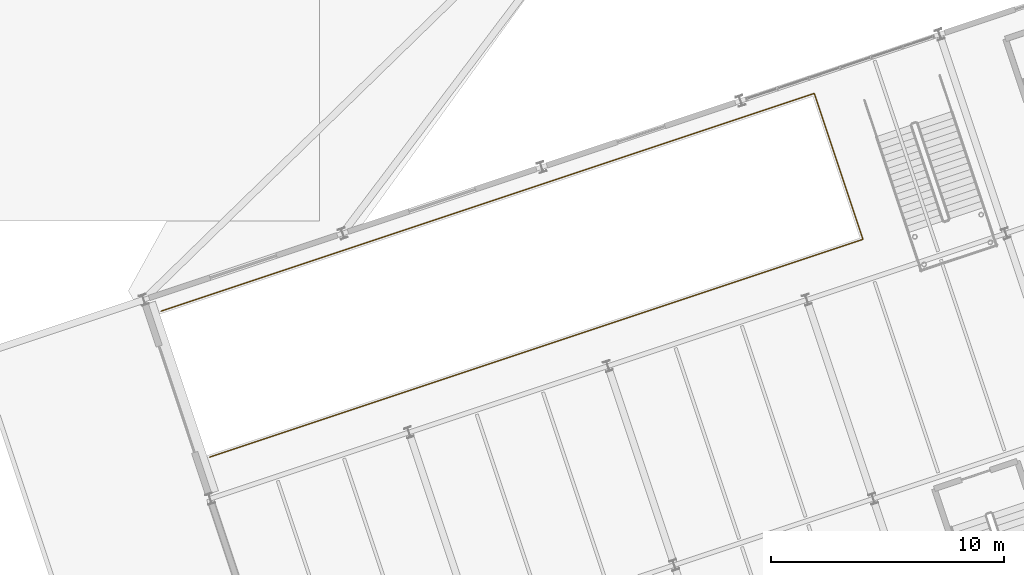
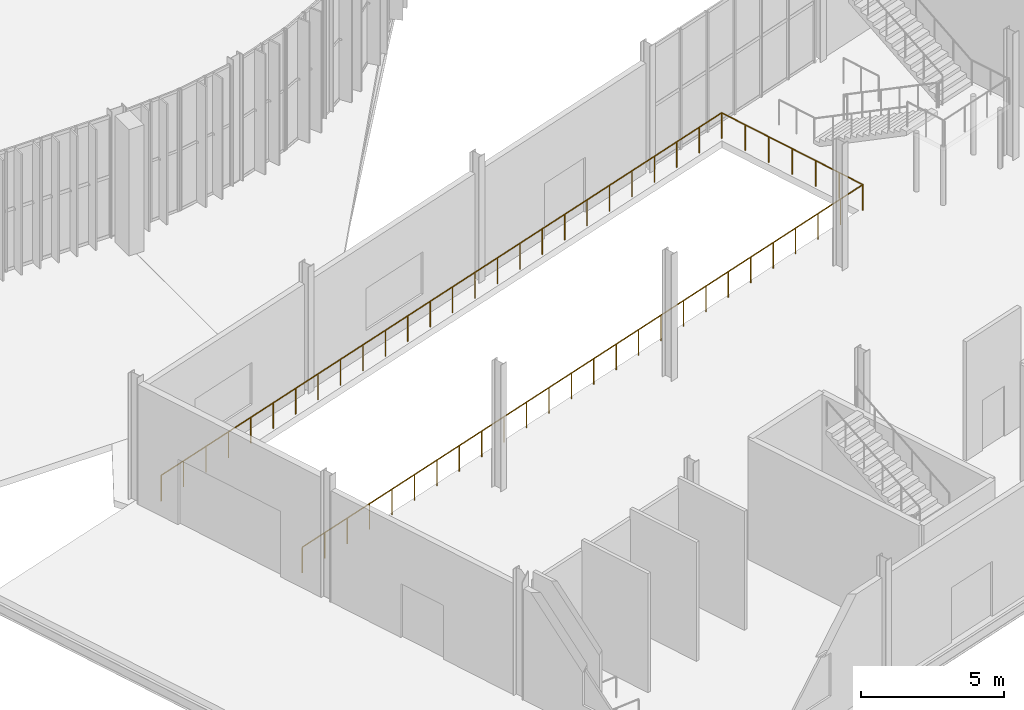
# One storey, part 144 of 158: 1 railing.
"""IFC4 building model written with IfcOpenShell, lengths in metres."""

from ifc_helpers import new_model, si_unit, derived_unit, direction, frame, origin, origin_2d, place, context, subcontext, project, spatial, circle, extrude, material, type_object, element, save


model = new_model("IFC4")

# Units and contexts
model_context = context("Model", 3, precision=1e-05, world=origin(), true_north=direction((0.0, 1.0)))
body_context = subcontext(model_context, "Body", "Model", "MODEL_VIEW")
ifc_project = project(units=[si_unit("LENGTHUNIT", "METRE"), si_unit("AREAUNIT", "SQUARE_METRE"), si_unit("VOLUMEUNIT", "CUBIC_METRE"), si_unit("PLANEANGLEUNIT", "RADIAN"), si_unit("MASSUNIT", "GRAM", prefix="KILO"), si_unit("THERMODYNAMICTEMPERATUREUNIT", "KELVIN"), si_unit("TIMEUNIT", "SECOND"), derived_unit("THERMALTRANSMITTANCEUNIT", [(si_unit("MASSUNIT", "GRAM", prefix="KILO"), 1), (si_unit("THERMODYNAMICTEMPERATUREUNIT", "KELVIN"), -1), (si_unit("TIMEUNIT", "SECOND"), -3)])], contexts=[model_context])

# Site, building, storey
site_placement = place(None, origin())
site = spatial("IfcSite", under=ifc_project, at=site_placement, CompositionType="ELEMENT")
building_placement = place(site_placement, origin())
building = spatial("IfcBuilding", under=site, at=building_placement, Name="Cambertide Market Hall", CompositionType="ELEMENT")
storey_placement = place(building_placement, origin())
storey = spatial("IfcBuildingStorey", under=building, at=storey_placement, Name="L01", CompositionType="ELEMENT", Elevation=0.0)

# Railing
ifc_material = material(Name="Stainless Steel Grade 316", Category="metal")
railing_type = type_object("IfcRailingType", Name="Interior Atrium & Void Guardrail 1120", PredefinedType="GUARDRAIL", material=ifc_material)
railing_placement = place(storey_placement, frame((100.2919921875, 30.863037109375, 0.0)))
element("IfcRailing", 1, at=railing_placement, inside=storey, type_object=railing_type, Name="Level 1 Vehicle Ramp Opening Guardrail", PredefinedType="GUARDRAIL", context=body_context, shape_type="SweptSolid", body=[
    extrude(circle(Radius=0.02392578125, at=origin_2d()), frame((0.0, 0.0, 1.09619140625), z_axis=(0.94868412424, 0.316225287437, 0.0), x_axis=(-0.316225287437, 0.94868412424, 0.0)), (0.0, 0.0, 1.0), 29.550048828125),
    extrude(circle(Radius=0.02392578125, at=origin_2d()), frame((28.03369140625, 9.344482421875, 1.09619140625), z_axis=(-0.316238863394, 0.948679598853, 0.0), x_axis=(-0.948679598853, -0.316238863394, 0.0)), (0.0, 0.0, 1.0), 6.599853515625),
    extrude(circle(Radius=0.02392578125, at=origin_2d()), frame((25.946533203125, 15.605712890625, 1.09619140625), z_axis=(-0.948683298051, -0.316227766017, 0.0), x_axis=(0.316227766017, -0.948683298051, 0.0)), (0.0, 0.0, 1.0), 29.5498046875),
    extrude(circle(Radius=0.02099609375, at=origin_2d()), origin(), (0.0, 0.0, 1.0), 1.072021484375),
    extrude(circle(Radius=0.02099609375, at=origin_2d()), frame((1.121337890625, 0.373779296875, 0.0)), (0.0, 0.0, 1.0), 1.072021484375),
    extrude(circle(Radius=0.02099609375, at=origin_2d()), frame((2.24267578125, 0.74755859375, 0.0)), (0.0, 0.0, 1.0), 1.072021484375),
    extrude(circle(Radius=0.02099609375, at=origin_2d()), frame((3.364013671875, 1.121337890625, 0.0)), (0.0, 0.0, 1.0), 1.072021484375),
    extrude(circle(Radius=0.02099609375, at=origin_2d()), frame((4.4853515625, 1.4951171875, 0.0)), (0.0, 0.0, 1.0), 1.072021484375),
    extrude(circle(Radius=0.02099609375, at=origin_2d()), frame((5.606689453125, 1.868896484375, 0.0)), (0.0, 0.0, 1.0), 1.072021484375),
    extrude(circle(Radius=0.02099609375, at=origin_2d()), frame((6.72802734375, 2.24267578125, 0.0)), (0.0, 0.0, 1.0), 1.072021484375),
    extrude(circle(Radius=0.02099609375, at=origin_2d()), frame((7.849365234375, 2.616455078125, 0.0)), (0.0, 0.0, 1.0), 1.072021484375),
    extrude(circle(Radius=0.02099609375, at=origin_2d()), frame((8.970703125, 2.990234375, 0.0)), (0.0, 0.0, 1.0), 1.072021484375),
    extrude(circle(Radius=0.02099609375, at=origin_2d()), frame((10.092041015625, 3.364013671875, 0.0)), (0.0, 0.0, 1.0), 1.072021484375),
    extrude(circle(Radius=0.02099609375, at=origin_2d()), frame((11.21337890625, 3.73779296875, 0.0)), (0.0, 0.0, 1.0), 1.072021484375),
    extrude(circle(Radius=0.02099609375, at=origin_2d()), frame((12.334716796875, 4.111572265625, 0.0)), (0.0, 0.0, 1.0), 1.072021484375),
    extrude(circle(Radius=0.02099609375, at=origin_2d()), frame((13.4560546875, 4.4853515625, 0.0)), (0.0, 0.0, 1.0), 1.072021484375),
    extrude(circle(Radius=0.02099609375, at=origin_2d()), frame((14.57763671875, 4.859130859375, 0.0)), (0.0, 0.0, 1.0), 1.072021484375),
    extrude(circle(Radius=0.02099609375, at=origin_2d()), frame((15.698974609375, 5.23291015625, 0.0)), (0.0, 0.0, 1.0), 1.072021484375),
    extrude(circle(Radius=0.02099609375, at=origin_2d()), frame((16.8203125, 5.606689453125, 0.0)), (0.0, 0.0, 1.0), 1.072021484375),
    extrude(circle(Radius=0.02099609375, at=origin_2d()), frame((17.941650390625, 5.98046875, 0.0)), (0.0, 0.0, 1.0), 1.072021484375),
    extrude(circle(Radius=0.02099609375, at=origin_2d()), frame((19.06298828125, 6.354248046875, 0.0)), (0.0, 0.0, 1.0), 1.072021484375),
    extrude(circle(Radius=0.02099609375, at=origin_2d()), frame((20.184326171875, 6.72802734375, 0.0)), (0.0, 0.0, 1.0), 1.072021484375),
    extrude(circle(Radius=0.02099609375, at=origin_2d()), frame((21.3056640625, 7.101806640625, 0.0)), (0.0, 0.0, 1.0), 1.072021484375),
    extrude(circle(Radius=0.02099609375, at=origin_2d()), frame((22.427001953125, 7.4755859375, 0.0)), (0.0, 0.0, 1.0), 1.072021484375),
    extrude(circle(Radius=0.02099609375, at=origin_2d()), frame((23.54833984375, 7.849365234375, 0.0)), (0.0, 0.0, 1.0), 1.072021484375),
    extrude(circle(Radius=0.02099609375, at=origin_2d()), frame((24.669677734375, 8.22314453125, 0.0)), (0.0, 0.0, 1.0), 1.072021484375),
    extrude(circle(Radius=0.02099609375, at=origin_2d()), frame((25.791015625, 8.596923828125, 0.0)), (0.0, 0.0, 1.0), 1.072021484375),
    extrude(circle(Radius=0.02099609375, at=origin_2d()), frame((26.912353515625, 8.970703125, 0.0)), (0.0, 0.0, 1.0), 1.072021484375),
    extrude(circle(Radius=0.02099609375, at=origin_2d()), frame((28.03369140625, 9.344482421875, 0.0)), (0.0, 0.0, 1.0), 1.072021484375),
    extrude(circle(Radius=0.02099609375, at=origin_2d()), frame((27.685791015625, 10.387939453125, 0.0)), (0.0, 0.0, 1.0), 1.072021484375),
    extrude(circle(Radius=0.02099609375, at=origin_2d()), frame((27.337890625, 11.431640625, 0.0)), (0.0, 0.0, 1.0), 1.072021484375),
    extrude(circle(Radius=0.02099609375, at=origin_2d()), frame((26.990234375, 12.47509765625, 0.0)), (0.0, 0.0, 1.0), 1.072021484375),
    extrude(circle(Radius=0.02099609375, at=origin_2d()), frame((26.642333984375, 13.5185546875, 0.0)), (0.0, 0.0, 1.0), 1.072021484375),
    extrude(circle(Radius=0.02099609375, at=origin_2d()), frame((26.29443359375, 14.562255859375, 0.0)), (0.0, 0.0, 1.0), 1.072021484375),
    extrude(circle(Radius=0.02099609375, at=origin_2d()), frame((25.946533203125, 15.605712890625, 0.0)), (0.0, 0.0, 1.0), 1.072021484375),
    extrude(circle(Radius=0.02099609375, at=origin_2d()), frame((24.8251953125, 15.23193359375, 0.0)), (0.0, 0.0, 1.0), 1.072021484375),
    extrude(circle(Radius=0.02099609375, at=origin_2d()), frame((23.703857421875, 14.858154296875, 0.0)), (0.0, 0.0, 1.0), 1.072021484375),
    extrude(circle(Radius=0.02099609375, at=origin_2d()), frame((22.58251953125, 14.484375, 0.0)), (0.0, 0.0, 1.0), 1.072021484375),
    extrude(circle(Radius=0.02099609375, at=origin_2d()), frame((21.461181640625, 14.110595703125, 0.0)), (0.0, 0.0, 1.0), 1.072021484375),
    extrude(circle(Radius=0.02099609375, at=origin_2d()), frame((20.33984375, 13.73681640625, 0.0)), (0.0, 0.0, 1.0), 1.072021484375),
    extrude(circle(Radius=0.02099609375, at=origin_2d()), frame((19.218505859375, 13.363037109375, 0.0)), (0.0, 0.0, 1.0), 1.072021484375),
    extrude(circle(Radius=0.02099609375, at=origin_2d()), frame((18.09716796875, 12.9892578125, 0.0)), (0.0, 0.0, 1.0), 1.072021484375),
    extrude(circle(Radius=0.02099609375, at=origin_2d()), frame((16.975830078125, 12.615478515625, 0.0)), (0.0, 0.0, 1.0), 1.072021484375),
    extrude(circle(Radius=0.02099609375, at=origin_2d()), frame((15.8544921875, 12.24169921875, 0.0)), (0.0, 0.0, 1.0), 1.072021484375),
    extrude(circle(Radius=0.02099609375, at=origin_2d()), frame((14.733154296875, 11.867919921875, 0.0)), (0.0, 0.0, 1.0), 1.072021484375),
    extrude(circle(Radius=0.02099609375, at=origin_2d()), frame((13.61181640625, 11.494140625, 0.0)), (0.0, 0.0, 1.0), 1.072021484375),
    extrude(circle(Radius=0.02099609375, at=origin_2d()), frame((12.490478515625, 11.120361328125, 0.0)), (0.0, 0.0, 1.0), 1.072021484375),
    extrude(circle(Radius=0.02099609375, at=origin_2d()), frame((11.369140625, 10.74658203125, 0.0)), (0.0, 0.0, 1.0), 1.072021484375),
    extrude(circle(Radius=0.02099609375, at=origin_2d()), frame((10.247802734375, 10.372802734375, 0.0)), (0.0, 0.0, 1.0), 1.072021484375),
    extrude(circle(Radius=0.02099609375, at=origin_2d()), frame((9.12646484375, 9.9990234375, 0.0)), (0.0, 0.0, 1.0), 1.072021484375),
    extrude(circle(Radius=0.02099609375, at=origin_2d()), frame((8.005126953125, 9.625244140625, 0.0)), (0.0, 0.0, 1.0), 1.072021484375),
    extrude(circle(Radius=0.02099609375, at=origin_2d()), frame((6.8837890625, 9.25146484375, 0.0)), (0.0, 0.0, 1.0), 1.072021484375),
    extrude(circle(Radius=0.02099609375, at=origin_2d()), frame((5.762451171875, 8.877685546875, 0.0)), (0.0, 0.0, 1.0), 1.072021484375),
    extrude(circle(Radius=0.02099609375, at=origin_2d()), frame((4.64111328125, 8.50390625, 0.0)), (0.0, 0.0, 1.0), 1.072021484375),
    extrude(circle(Radius=0.02099609375, at=origin_2d()), frame((3.519775390625, 8.130126953125, 0.0)), (0.0, 0.0, 1.0), 1.072021484375),
    extrude(circle(Radius=0.02099609375, at=origin_2d()), frame((2.3984375, 7.75634765625, 0.0)), (0.0, 0.0, 1.0), 1.072021484375),
    extrude(circle(Radius=0.02099609375, at=origin_2d()), frame((1.277099609375, 7.382568359375, 0.0)), (0.0, 0.0, 1.0), 1.072021484375),
    extrude(circle(Radius=0.02099609375, at=origin_2d()), frame((0.15576171875, 7.0087890625, 0.0)), (0.0, 0.0, 1.0), 1.072021484375),
    extrude(circle(Radius=0.02099609375, at=origin_2d()), frame((-0.965576171875, 6.635009765625, 0.0)), (0.0, 0.0, 1.0), 1.072021484375),
    extrude(circle(Radius=0.02099609375, at=origin_2d()), frame((-2.0869140625, 6.26123046875, 0.0)), (0.0, 0.0, 1.0), 1.072021484375),
])

save(model, "model.ifc")
